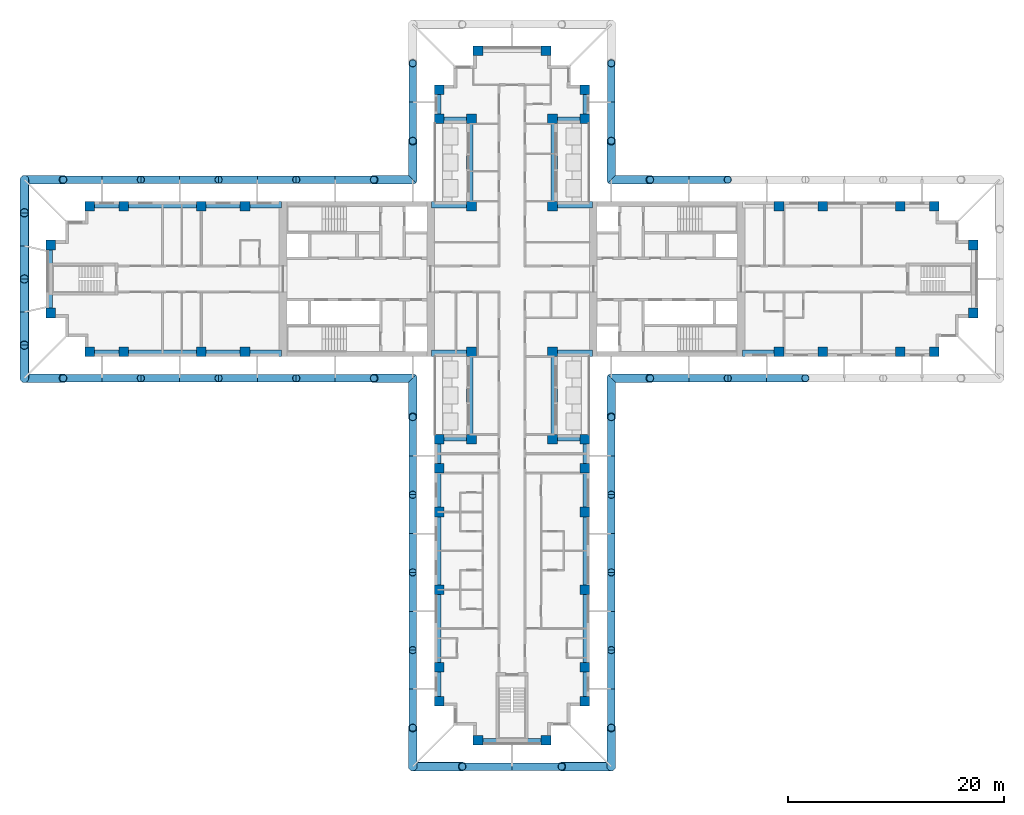
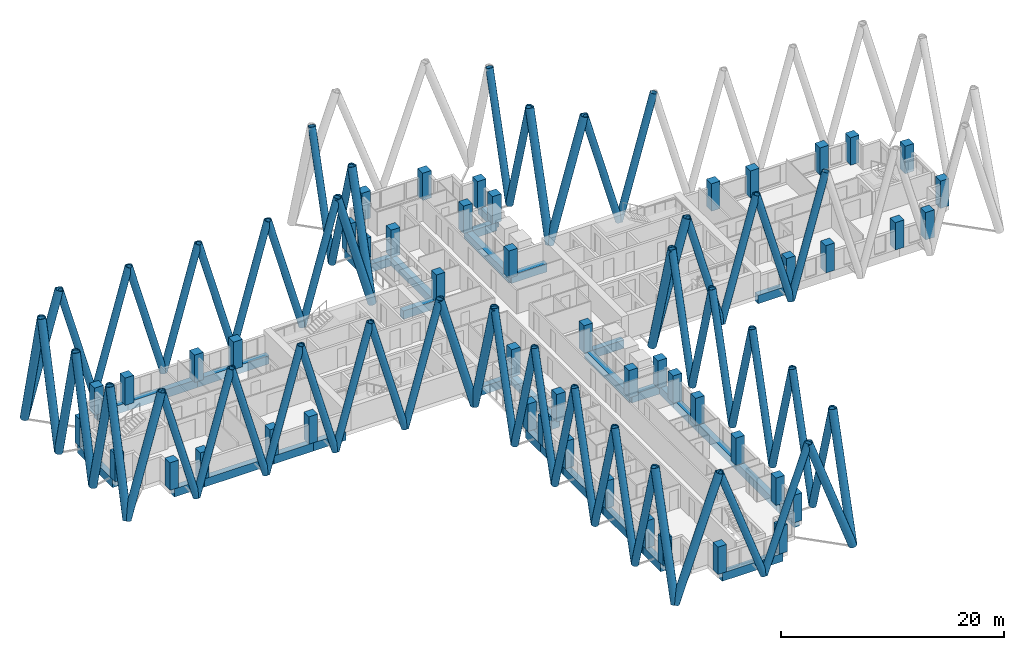
# One storey, part 1 of 14: 64 members, 48 columns, 35 beams.
"""IFC4 building model written with IfcOpenShell, lengths in metres."""

from ifc_helpers import new_model, si_unit, direction, frame, origin, origin_2d, place, context, subcontext, project, spatial, rectangle, hollow_circle, extrude, material, material_profile, profile_set, type_object, element, save


model = new_model("IFC4")

# Units and contexts
model_context = context("Model", 3, precision=1e-05, world=origin(), true_north=direction((0.0, 1.0)))
body_context = subcontext(model_context, "Body", "Model", "MODEL_VIEW")
ifc_project = project(units=[si_unit("LENGTHUNIT", "METRE"), si_unit("AREAUNIT", "SQUARE_METRE"), si_unit("VOLUMEUNIT", "CUBIC_METRE"), si_unit("PLANEANGLEUNIT", "RADIAN"), si_unit("MASSUNIT", "GRAM", prefix="KILO")], contexts=[model_context])

# Site, building, storey
site_placement = place(None, origin())
site = spatial("IfcSite", under=ifc_project, at=site_placement, CompositionType="ELEMENT")
building_placement = place(site_placement, origin())
building = spatial("IfcBuilding", under=site, at=building_placement, Name="Fustian Cross Tower", CompositionType="ELEMENT")
storey_placement = place(building_placement, frame((0.0, 0.0, 102.89990234375)))
storey = spatial("IfcBuildingStorey", under=building, at=storey_placement, Name="L32", CompositionType="ELEMENT", Elevation=102.89990234375)

# Columns
ifc_material_1 = material(Name="Concrete C60/75", Category="concrete")
ifc_material_profile_1 = material_profile(ifc_material_1, rectangle(XDim=0.89990234375, YDim=0.89990234375, at=origin_2d()), Name="RC 900x900")
ifc_profile_set_1 = profile_set([ifc_material_profile_1], Name="Concrete C60/75")
column_type = type_object("IfcColumnType", Name="COLUMN RC 900x900 C60/75", PredefinedType="COLUMN", material=ifc_profile_set_1)
for number, where, z_axis, x_axis, name in (
    (1, (-42.75, -3.14990234375, 0.0), (0.0, 0.0, 1.0), (1.0, 0.0, 0.0), "COLUMN 001"),
    (2, (-42.75, 3.14990234375, 0.0), (0.0, 0.0, 1.0), (1.0, 0.0, 0.0), "COLUMN 002"),
    (3, (-39.14990234375, -6.75, 0.0), (0.0, 0.0, 1.0), (1.0, 0.0, 0.0), "COLUMN 003"),
    (4, (-39.14990234375, 6.75, 0.0), (0.0, 0.0, 1.0), (1.0, 0.0, 0.0), "COLUMN 004"),
    (5, (-36.0, -6.75, 0.0), (0.0, 0.0, 1.0), (1.0, 0.0, 0.0), "COLUMN 005"),
    (6, (-36.0, 6.75, 0.0), (0.0, 0.0, 1.0), (1.0, 0.0, 0.0), "COLUMN 006"),
    (7, (-28.800048828125, -6.75, 0.0), (0.0, 0.0, 1.0), (1.0, 0.0, 0.0), "COLUMN 007"),
    (8, (-28.800048828125, 6.75, 0.0), (0.0, 0.0, 1.0), (1.0, 0.0, 0.0), "COLUMN 010"),
    (9, (-24.75, -6.75, 0.0), (0.0, 0.0, 1.0), (1.0, 0.0, 0.0), "COLUMN 011"),
    (10, (-24.75, 6.75, 0.0), (0.0, 0.0, 1.0), (1.0, 0.0, 0.0), "COLUMN 012"),
    (11, (-6.75, -39.14990234375, 0.0), (0.0, 0.0, 1.0), (1.0, 0.0, 0.0), "COLUMN 013"),
    (12, (-6.75, -36.0, 0.0), (0.0, 0.0, 1.0), (1.0, 0.0, 0.0), "COLUMN 014"),
    (13, (-6.75, -28.800048828125, 0.0), (0.0, 0.0, 1.0), (1.0, 0.0, 0.0), "COLUMN 015"),
    (14, (-6.75, -21.60009765625, 0.0), (0.0, 0.0, 1.0), (1.0, 0.0, 0.0), "COLUMN 016"),
    (15, (-6.75, -17.550048828125, 0.0), (0.0, 0.0, 1.0), (1.0, 0.0, 0.0), "COLUMN 017"),
    (16, (-6.75, -14.85009765625, 0.0), (0.0, 0.0, 1.0), (1.0, 0.0, 0.0), "COLUMN 018"),
    (17, (-6.75, 14.85009765625, 0.0), (0.0, 0.0, 1.0), (1.0, 0.0, 0.0), "COLUMN 019"),
    (18, (-6.75, 17.550048828125, 0.0), (0.0, 0.0, 1.0), (1.0, 0.0, 0.0), "COLUMN 020"),
    (19, (-3.75, -14.85009765625, 0.0), (0.0, 0.0, 1.0), (1.0, 0.0, 0.0), "COLUMN 025"),
    (20, (-3.75, -6.75, 0.0), (0.0, 0.0, 1.0), (1.0, 0.0, 0.0), "COLUMN 026"),
    (21, (-3.75, 6.75, 0.0), (0.0, 0.0, 1.0), (1.0, 0.0, 0.0), "COLUMN 027"),
    (22, (-3.75, 14.85009765625, 0.0), (0.0, 0.0, 1.0), (1.0, 0.0, 0.0), "COLUMN 028"),
    (23, (-3.14990234375, -42.75, 0.0), (0.0, 0.0, 1.0), (1.0, 0.0, 0.0), "COLUMN 029"),
    (24, (-3.14990234375, 21.14990234375, 0.0), (0.0, 0.0, 1.0), (1.0, 0.0, 0.0), "COLUMN 031"),
    (25, (3.14990234375, -42.75, 0.0), (0.0, 0.0, 1.0), (1.0, 0.0, 0.0), "COLUMN 033"),
    (26, (3.14990234375, 21.14990234375, 0.0), (0.0, 0.0, 1.0), (1.0, 0.0, 0.0), "COLUMN 035"),
    (27, (3.75, -14.85009765625, 0.0), (0.0, 0.0, 1.0), (1.0, 0.0, 0.0), "COLUMN 037"),
    (28, (3.75, -6.75, 0.0), (0.0, 0.0, 1.0), (1.0, 0.0, 0.0), "COLUMN 038"),
    (29, (3.75, 6.75, 0.0), (0.0, 0.0, 1.0), (1.0, 0.0, 0.0), "COLUMN 039"),
    (30, (3.75, 14.85009765625, 0.0), (0.0, 0.0, 1.0), (1.0, 0.0, 0.0), "COLUMN 040"),
    (31, (6.75, -39.14990234375, 0.0), (0.0, 0.0, 1.0), (1.0, 0.0, 0.0), "COLUMN 041"),
    (32, (6.75, -36.0, 0.0), (0.0, 0.0, 1.0), (1.0, 0.0, 0.0), "COLUMN 042"),
    (33, (6.75, -28.800048828125, 0.0), (0.0, 0.0, 1.0), (1.0, 0.0, 0.0), "COLUMN 043"),
    (34, (6.75, -21.60009765625, 0.0), (0.0, 0.0, 1.0), (1.0, 0.0, 0.0), "COLUMN 044"),
    (35, (6.75, -17.550048828125, 0.0), (0.0, 0.0, 1.0), (1.0, 0.0, 0.0), "COLUMN 045"),
    (36, (6.75, -14.85009765625, 0.0), (0.0, 0.0, 1.0), (1.0, 0.0, 0.0), "COLUMN 046"),
    (37, (6.75, 14.85009765625, 0.0), (0.0, 0.0, 1.0), (1.0, 0.0, 0.0), "COLUMN 047"),
    (38, (6.75, 17.550048828125, 0.0), (0.0, 0.0, 1.0), (1.0, 0.0, 0.0), "COLUMN 048"),
    (39, (24.75, -6.75, 0.0), (0.0, 0.0, 1.0), (1.0, 0.0, 0.0), "COLUMN 053"),
    (40, (24.75, 6.75, 0.0), (0.0, 0.0, 1.0), (1.0, 0.0, 0.0), "COLUMN 054"),
    (41, (28.800048828125, -6.75, 0.0), (0.0, 0.0, 1.0), (1.0, 0.0, 0.0), "COLUMN 055"),
    (42, (28.800048828125, 6.75, 0.0), (0.0, 0.0, 1.0), (1.0, 0.0, 0.0), "COLUMN 058"),
    (43, (36.0, -6.75, 0.0), (0.0, 0.0, 1.0), (1.0, 0.0, 0.0), "COLUMN 059"),
    (44, (36.0, 6.75, 0.0), (0.0, 0.0, 1.0), (1.0, 0.0, 0.0), "COLUMN 060"),
    (45, (39.14990234375, -6.75, 0.0), (0.0, 0.0, 1.0), (1.0, 0.0, 0.0), "COLUMN 061"),
    (46, (39.14990234375, 6.75, 0.0), (0.0, 0.0, 1.0), (1.0, 0.0, 0.0), "COLUMN 062"),
    (47, (42.75, -3.14990234375, 0.0), (0.0, 0.0, 1.0), (1.0, 0.0, 0.0), "COLUMN 063"),
    (48, (42.75, 3.14990234375, 0.0), (0.0, 0.0, 1.0), (1.0, 0.0, 0.0), "COLUMN 064"),
):
    element("IfcColumn", number, at=place(storey_placement, frame(where, z_axis=z_axis, x_axis=x_axis)), inside=storey, type_object=column_type, Name=name, PredefinedType="COLUMN", context=body_context, shape_type="SweptSolid", body=[
        extrude(rectangle(XDim=0.89990234375, YDim=0.89990234375, at=origin_2d()), origin(), (0.0, 0.0, 1.0), 3.0),
    ])

# Members
ifc_material_2 = material(Name="Steel S355", Category="steel")
ifc_material_profile_2 = material_profile(ifc_material_2, hollow_circle(Radius=0.355712890625, WallThickness=0.031982421875, at=origin_2d()), Name="CHS 711x32")
ifc_profile_set_2 = profile_set([ifc_material_profile_2], Name="Steel S355")
member_type_1 = type_object("IfcMemberType", Name="DIAGRID DIAGONAL CHS 711x32", PredefinedType="BRACE", material=ifc_profile_set_2)
for number, where, z_axis, x_axis, name in (
    (49, (16.39990234375, -9.199951171875, 0.0), (-0.270734410693, 0.0, 0.962654080585), (0.0, -1.0, 0.0), "Diagrid diagonal E-S 02"),
    (50, (16.39990234375, -9.199951171875, 0.0), (0.27075142585, 0.0, 0.962649295123), (0.0, 1.0, 0.0), "Diagrid diagonal E-S 03"),
    (51, (23.60009765625, -9.199951171875, 0.0), (-0.27075142585, 0.0, 0.962649295123), (0.0, -1.0, 0.0), "Diagrid diagonal E-S 04"),
    (52, (23.60009765625, -9.199951171875, 0.0), (0.270734410693, 0.0, 0.962654080585), (0.0, 1.0, 0.0), "Diagrid diagonal E-S 05"),
    (53, (16.39990234375, 9.199951171875, 0.0), (0.27075142585, 0.0, 0.962649295123), (0.0, 1.0, 0.0), "Diagrid diagonal E-N 08"),
    (54, (16.39990234375, 9.199951171875, 0.0), (-0.270734410693, 0.0, 0.962654080585), (0.0, -1.0, 0.0), "Diagrid diagonal E-N 09"),
    (55, (9.199951171875, 16.39990234375, 0.0), (0.0, -0.270734410693, 0.962654080585), (1.0, 0.0, 0.0), "Diagrid diagonal N-E 02"),
    (56, (9.199951171875, 16.39990234375, 0.0), (0.0, 0.27075142585, 0.962649295123), (-1.0, 0.0, 0.0), "Diagrid diagonal N-E 03"),
    (57, (-9.199951171875, 16.39990234375, 0.0), (0.0, 0.27075142585, 0.962649295123), (-1.0, 0.0, 0.0), "Diagrid diagonal N-W 02"),
    (58, (-9.199951171875, 16.39990234375, 0.0), (0.0, -0.270734410693, 0.962654080585), (1.0, 0.0, 0.0), "Diagrid diagonal N-W 03"),
    (59, (-16.39990234375, 9.199951171875, 0.0), (0.270734410693, 0.0, 0.962654080585), (0.0, 1.0, 0.0), "Diagrid diagonal W-N 02"),
    (60, (-16.39990234375, 9.199951171875, 0.0), (-0.27075142585, 0.0, 0.962649295123), (0.0, -1.0, 0.0), "Diagrid diagonal W-N 03"),
    (61, (-23.60009765625, 9.199951171875, 0.0), (0.27075142585, 0.0, 0.962649295123), (0.0, 1.0, 0.0), "Diagrid diagonal W-N 04"),
    (62, (-23.60009765625, 9.199951171875, 0.0), (-0.270734410693, 0.0, 0.962654080585), (0.0, -1.0, 0.0), "Diagrid diagonal W-N 05"),
    (63, (-30.800048828125, 9.199951171875, 0.0), (0.27075142585, 0.0, 0.962649295123), (0.0, 1.0, 0.0), "Diagrid diagonal W-N 06"),
    (64, (-30.800048828125, 9.199951171875, 0.0), (-0.270734410693, 0.0, 0.962654080585), (0.0, -1.0, 0.0), "Diagrid diagonal W-N 07"),
    (65, (-38.0, 9.199951171875, 0.0), (0.27075142585, 0.0, 0.962649295123), (0.0, 1.0, 0.0), "Diagrid diagonal W-N 08"),
    (66, (-38.0, 9.199951171875, 0.0), (-0.27075142585, 0.0, 0.962649295123), (0.0, -1.0, 0.0), "Diagrid diagonal W-N 09"),
    (67, (-38.0, -9.199951171875, 0.0), (-0.27075142585, 0.0, 0.962649295123), (0.0, -1.0, 0.0), "Diagrid diagonal W-S 02"),
    (68, (-38.0, -9.199951171875, 0.0), (0.27075142585, 0.0, 0.962649295123), (0.0, 1.0, 0.0), "Diagrid diagonal W-S 03"),
    (69, (-30.800048828125, -9.199951171875, 0.0), (-0.270734410693, 0.0, 0.962654080585), (0.0, -1.0, 0.0), "Diagrid diagonal W-S 04"),
    (70, (-30.800048828125, -9.199951171875, 0.0), (0.27075142585, 0.0, 0.962649295123), (0.0, 1.0, 0.0), "Diagrid diagonal W-S 05"),
    (71, (-23.60009765625, -9.199951171875, 0.0), (-0.270734410693, 0.0, 0.962654080585), (0.0, -1.0, 0.0), "Diagrid diagonal W-S 06"),
    (72, (-23.60009765625, -9.199951171875, 0.0), (0.27075142585, 0.0, 0.962649295123), (0.0, 1.0, 0.0), "Diagrid diagonal W-S 07"),
    (73, (-16.39990234375, -9.199951171875, 0.0), (-0.27075142585, 0.0, 0.962649295123), (0.0, -1.0, 0.0), "Diagrid diagonal W-S 08"),
    (74, (-16.39990234375, -9.199951171875, 0.0), (0.270734410693, 0.0, 0.962654080585), (0.0, 1.0, 0.0), "Diagrid diagonal W-S 09"),
    (75, (-9.199951171875, -16.39990234375, 0.0), (0.0, 0.270734410693, 0.962654080585), (-1.0, 0.0, 0.0), "Diagrid diagonal S-W 02"),
    (76, (-9.199951171875, -16.39990234375, 0.0), (0.0, -0.27075142585, 0.962649295123), (1.0, 0.0, 0.0), "Diagrid diagonal S-W 03"),
    (77, (-9.199951171875, -23.60009765625, 0.0), (0.0, 0.27075142585, 0.962649295123), (-1.0, 0.0, 0.0), "Diagrid diagonal S-W 04"),
    (78, (-9.199951171875, -23.60009765625, 0.0), (0.0, -0.270734410693, 0.962654080585), (1.0, 0.0, 0.0), "Diagrid diagonal S-W 05"),
    (79, (-9.199951171875, -30.800048828125, 0.0), (0.0, 0.27075142585, 0.962649295123), (-1.0, 0.0, 0.0), "Diagrid diagonal S-W 06"),
    (80, (-9.199951171875, -30.800048828125, 0.0), (0.0, -0.270734410693, 0.962654080585), (1.0, 0.0, 0.0), "Diagrid diagonal S-W 07"),
    (81, (-9.199951171875, -38.0, 0.0), (0.0, 0.27075142585, 0.962649295123), (-1.0, 0.0, 0.0), "Diagrid diagonal S-W 08"),
    (82, (-9.199951171875, -38.0, 0.0), (0.0, -0.27075142585, 0.962649295123), (1.0, 0.0, 0.0), "Diagrid diagonal S-W 09"),
):
    element("IfcMember", number, at=place(storey_placement, frame(where, z_axis=z_axis, x_axis=x_axis)), inside=storey, type_object=member_type_1, Name=name, PredefinedType="BRACE", context=body_context, shape_type="SweptSolid", body=[
        extrude(hollow_circle(Radius=0.355712890625, WallThickness=0.031982421875, at=origin_2d()), origin(), (0.0, 0.0, 1.0), 13.296630859375),
    ])
for number, where, z_axis, x_axis, name in (
    (83, (0.0, -45.199951171875, 0.0), (-0.338203942177, 0.0, 0.941072841759), (0.0, -1.0, 0.0), "Diagrid diagonal S-end 02"),
    (84, (0.0, -45.199951171875, 0.0), (0.338203942177, 0.0, 0.941072841759), (0.0, 1.0, 0.0), "Diagrid diagonal S-end 03"),
):
    element("IfcMember", number, at=place(storey_placement, frame(where, z_axis=z_axis, x_axis=x_axis)), inside=storey, type_object=member_type_1, Name=name, PredefinedType="BRACE", context=body_context, shape_type="SweptSolid", body=[
        extrude(hollow_circle(Radius=0.355712890625, WallThickness=0.031982421875, at=origin_2d()), origin(), (0.0, 0.0, 1.0), 13.6015625),
    ])
for number, where, z_axis, x_axis, name in (
    (85, (9.199951171875, -38.0, 0.0), (0.0, -0.27075142585, 0.962649295123), (1.0, 0.0, 0.0), "Diagrid diagonal S-E 02"),
    (86, (9.199951171875, -38.0, 0.0), (0.0, 0.27075142585, 0.962649295123), (-1.0, 0.0, 0.0), "Diagrid diagonal S-E 03"),
    (87, (9.199951171875, -30.800048828125, 0.0), (0.0, -0.270734410693, 0.962654080585), (1.0, 0.0, 0.0), "Diagrid diagonal S-E 04"),
    (88, (9.199951171875, -30.800048828125, 0.0), (0.0, 0.27075142585, 0.962649295123), (-1.0, 0.0, 0.0), "Diagrid diagonal S-E 05"),
    (89, (9.199951171875, -23.60009765625, 0.0), (0.0, -0.270734410693, 0.962654080585), (1.0, 0.0, 0.0), "Diagrid diagonal S-E 06"),
    (90, (9.199951171875, -23.60009765625, 0.0), (0.0, 0.27075142585, 0.962649295123), (-1.0, 0.0, 0.0), "Diagrid diagonal S-E 07"),
    (91, (9.199951171875, -16.39990234375, 0.0), (0.0, -0.27075142585, 0.962649295123), (1.0, 0.0, 0.0), "Diagrid diagonal S-E 08"),
    (92, (9.199951171875, -16.39990234375, 0.0), (0.0, 0.270734410693, 0.962654080585), (-1.0, 0.0, 0.0), "Diagrid diagonal S-E 09"),
):
    element("IfcMember", number, at=place(storey_placement, frame(where, z_axis=z_axis, x_axis=x_axis)), inside=storey, type_object=member_type_1, Name=name, PredefinedType="BRACE", context=body_context, shape_type="SweptSolid", body=[
        extrude(hollow_circle(Radius=0.355712890625, WallThickness=0.031982421875, at=origin_2d()), origin(), (0.0, 0.0, 1.0), 13.296630859375),
    ])
ifc_material_3 = material(Name="Steel S355", Category="steel")
ifc_material_profile_3 = material_profile(ifc_material_3, hollow_circle(Radius=0.406494140625, WallThickness=0.0400390625, at=origin_2d()), Name="CHS 813x40")
ifc_profile_set_3 = profile_set([ifc_material_profile_3], Name="Steel S355")
member_type_2 = type_object("IfcMemberType", Name="DIAGRID DIAGONAL CHS 813x40", PredefinedType="BRACE", material=ifc_profile_set_3)
for number, where, z_axis, x_axis, name in (
    (93, (9.199951171875, -9.199951171875, 0.0), (0.27075142585, 0.0, 0.962649295123), (0.0, 1.0, 0.0), "Diagrid diagonal E-S 01"),
    (94, (9.199951171875, 9.199951171875, 0.0), (0.27075142585, 0.0, 0.962649295123), (0.0, 1.0, 0.0), "Diagrid diagonal E-N 10"),
    (95, (9.199951171875, 9.199951171875, 0.0), (0.0, 0.27075142585, 0.962649295123), (-1.0, 0.0, 0.0), "Diagrid diagonal N-E 01"),
    (96, (-9.199951171875, 9.199951171875, 0.0), (0.0, 0.27075142585, 0.962649295123), (-1.0, 0.0, 0.0), "Diagrid diagonal N-W 04"),
    (97, (-9.199951171875, 9.199951171875, 0.0), (-0.27075142585, 0.0, 0.962649295123), (0.0, -1.0, 0.0), "Diagrid diagonal W-N 01"),
    (98, (-45.199951171875, 9.199951171875, 0.0), (0.270734410693, 0.0, 0.962654080585), (0.0, 1.0, 0.0), "Diagrid diagonal W-N 10"),
):
    element("IfcMember", number, at=place(storey_placement, frame(where, z_axis=z_axis, x_axis=x_axis)), inside=storey, type_object=member_type_2, Name=name, PredefinedType="BRACE", context=body_context, shape_type="SweptSolid", body=[
        extrude(hollow_circle(Radius=0.406494140625, WallThickness=0.0400390625, at=origin_2d()), origin(), (0.0, 0.0, 1.0), 13.296630859375),
    ])
for number, where, z_axis, x_axis, name in (
    (99, (-45.199951171875, 9.199951171875, 0.0), (0.0, -0.232987793088, 0.972479659567), (1.0, 0.0, 0.0), "Diagrid diagonal W-end 01"),
    (100, (-45.199951171875, 3.066650390625, 0.0), (0.0, 0.232987793088, 0.972479659567), (-1.0, 0.0, 0.0), "Diagrid diagonal W-end 02"),
    (101, (-45.199951171875, 3.066650390625, 0.0), (0.0, -0.232987793088, 0.972479659567), (1.0, 0.0, 0.0), "Diagrid diagonal W-end 03"),
    (102, (-45.199951171875, -3.066650390625, 0.0), (0.0, 0.232987793088, 0.972479659567), (-1.0, 0.0, 0.0), "Diagrid diagonal W-end 04"),
    (103, (-45.199951171875, -3.066650390625, 0.0), (0.0, -0.232987793088, 0.972479659567), (1.0, 0.0, 0.0), "Diagrid diagonal W-end 05"),
    (104, (-45.199951171875, -9.199951171875, 0.0), (0.0, 0.232987793088, 0.972479659567), (-1.0, 0.0, 0.0), "Diagrid diagonal W-end 06"),
):
    element("IfcMember", number, at=place(storey_placement, frame(where, z_axis=z_axis, x_axis=x_axis)), inside=storey, type_object=member_type_2, Name=name, PredefinedType="BRACE", context=body_context, shape_type="SweptSolid", body=[
        extrude(hollow_circle(Radius=0.406494140625, WallThickness=0.0400390625, at=origin_2d()), origin(), (0.0, 0.0, 1.0), 13.162353515625),
    ])
for number, where, z_axis, x_axis, name in (
    (105, (-45.199951171875, -9.199951171875, 0.0), (0.270734410693, 0.0, 0.962654080585), (0.0, 1.0, 0.0), "Diagrid diagonal W-S 01"),
    (106, (-9.199951171875, -9.199951171875, 0.0), (-0.27075142585, 0.0, 0.962649295123), (0.0, -1.0, 0.0), "Diagrid diagonal W-S 10"),
    (107, (-9.199951171875, -9.199951171875, 0.0), (0.0, -0.27075142585, 0.962649295123), (1.0, 0.0, 0.0), "Diagrid diagonal S-W 01"),
    (108, (-9.199951171875, -45.199951171875, 0.0), (0.0, 0.270734410693, 0.962654080585), (-1.0, 0.0, 0.0), "Diagrid diagonal S-W 10"),
):
    element("IfcMember", number, at=place(storey_placement, frame(where, z_axis=z_axis, x_axis=x_axis)), inside=storey, type_object=member_type_2, Name=name, PredefinedType="BRACE", context=body_context, shape_type="SweptSolid", body=[
        extrude(hollow_circle(Radius=0.406494140625, WallThickness=0.0400390625, at=origin_2d()), origin(), (0.0, 0.0, 1.0), 13.296630859375),
    ])
for number, where, z_axis, x_axis, name in (
    (109, (-9.199951171875, -45.199951171875, 0.0), (0.338188045656, 0.0, 0.941078554519), (0.0, 1.0, 0.0), "Diagrid diagonal S-end 01"),
    (110, (9.199951171875, -45.199951171875, 0.0), (-0.338188045656, 0.0, 0.941078554519), (0.0, -1.0, 0.0), "Diagrid diagonal S-end 04"),
):
    element("IfcMember", number, at=place(storey_placement, frame(where, z_axis=z_axis, x_axis=x_axis)), inside=storey, type_object=member_type_2, Name=name, PredefinedType="BRACE", context=body_context, shape_type="SweptSolid", body=[
        extrude(hollow_circle(Radius=0.406494140625, WallThickness=0.0400390625, at=origin_2d()), origin(), (0.0, 0.0, 1.0), 13.6015625),
    ])
for number, where, z_axis, x_axis, name in (
    (111, (9.199951171875, -45.199951171875, 0.0), (0.0, 0.270734410693, 0.962654080585), (-1.0, 0.0, 0.0), "Diagrid diagonal S-E 01"),
    (112, (9.199951171875, -9.199951171875, 0.0), (0.0, -0.27075142585, 0.962649295123), (1.0, 0.0, 0.0), "Diagrid diagonal S-E 10"),
):
    element("IfcMember", number, at=place(storey_placement, frame(where, z_axis=z_axis, x_axis=x_axis)), inside=storey, type_object=member_type_2, Name=name, PredefinedType="BRACE", context=body_context, shape_type="SweptSolid", body=[
        extrude(hollow_circle(Radius=0.406494140625, WallThickness=0.0400390625, at=origin_2d()), origin(), (0.0, 0.0, 1.0), 13.296630859375),
    ])

# Beams
ifc_material_4 = material(Name="Concrete C50/60", Category="concrete")
ifc_material_profile_4 = material_profile(ifc_material_4, rectangle(XDim=0.60009765625, YDim=0.89990234375, at=origin_2d()), Name="RC 600x900")
ifc_profile_set_4 = profile_set([ifc_material_profile_4], Name="Concrete C50/60")
beam_type = type_object("IfcBeamType", Name="EDGE BEAM RC 600x900 C50/60", PredefinedType="SPANDREL", material=ifc_profile_set_4)
beam_1_placement = place(storey_placement, frame((21.35009765625, -6.89990234375, -0.449951171875), z_axis=(1.0, 0.0, 0.0), x_axis=(0.0, 1.0, 0.0)))
element("IfcBeam", 113, at=beam_1_placement, inside=storey, type_object=beam_type, Name="EDGE BEAM L32-01", PredefinedType="SPANDREL", context=body_context, shape_type="SweptSolid", body=[
    extrude(rectangle(XDim=0.60009765625, YDim=0.89990234375, at=origin_2d()), origin(), (0.0, 0.0, 1.0), 3.39990234375),
])
beam_2_placement = place(storey_placement, frame((7.449951171875, 6.89990234375, -0.449951171875), z_axis=(-1.0, 0.0, 0.0), x_axis=(0.0, -1.0, 0.0)))
element("IfcBeam", 114, at=beam_2_placement, inside=storey, type_object=beam_type, Name="EDGE BEAM L32-10", PredefinedType="SPANDREL", context=body_context, shape_type="SweptSolid", body=[
    extrude(rectangle(XDim=0.60009765625, YDim=0.89990234375, at=origin_2d()), origin(), (0.0, 0.0, 1.0), 3.699951171875),
])
beam_3_placement = place(storey_placement, frame((3.89990234375, 6.75, -0.449951171875), z_axis=(0.0, 1.0, 0.0), x_axis=(-1.0, 0.0, 0.0)))
element("IfcBeam", 115, at=beam_3_placement, inside=storey, type_object=beam_type, Name="EDGE BEAM L32-11", PredefinedType="SPANDREL", context=body_context, shape_type="SweptSolid", body=[
    extrude(rectangle(XDim=0.60009765625, YDim=0.89990234375, at=origin_2d()), origin(), (0.0, 0.0, 1.0), 8.10009765625),
])
beam_4_placement = place(storey_placement, frame((3.75, 14.699951171875, -0.449951171875), z_axis=(1.0, 0.0, 0.0), x_axis=(0.0, 1.0, 0.0)))
element("IfcBeam", 116, at=beam_4_placement, inside=storey, type_object=beam_type, Name="EDGE BEAM L32-12", PredefinedType="SPANDREL", context=body_context, shape_type="SweptSolid", body=[
    extrude(rectangle(XDim=0.60009765625, YDim=0.89990234375, at=origin_2d()), origin(), (0.0, 0.0, 1.0), 3.0),
])
for number, where, z_axis, x_axis, name in (
    (117, (6.89990234375, 14.85009765625, -0.449951171875), (0.0, 1.0, 0.0), (-1.0, 0.0, 0.0), "EDGE BEAM L32-13"),
    (118, (-6.89990234375, 17.550048828125, -0.449951171875), (0.0, -1.0, 0.0), (1.0, 0.0, 0.0), "EDGE BEAM L32-15"),
):
    element("IfcBeam", number, at=place(storey_placement, frame(where, z_axis=z_axis, x_axis=x_axis)), inside=storey, type_object=beam_type, Name=name, PredefinedType="SPANDREL", context=body_context, shape_type="SweptSolid", body=[
        extrude(rectangle(XDim=0.60009765625, YDim=0.89990234375, at=origin_2d()), origin(), (0.0, 0.0, 1.0), 2.699951171875),
    ])
beam_5_placement = place(storey_placement, frame((-6.75, 14.699951171875, -0.449951171875), z_axis=(1.0, 0.0, 0.0), x_axis=(0.0, 1.0, 0.0)))
element("IfcBeam", 119, at=beam_5_placement, inside=storey, type_object=beam_type, Name="EDGE BEAM L32-16", PredefinedType="SPANDREL", context=body_context, shape_type="SweptSolid", body=[
    extrude(rectangle(XDim=0.60009765625, YDim=0.89990234375, at=origin_2d()), origin(), (0.0, 0.0, 1.0), 3.0),
])
beam_6_placement = place(storey_placement, frame((-3.89990234375, 14.85009765625, -0.449951171875), z_axis=(0.0, -1.0, 0.0), x_axis=(1.0, 0.0, 0.0)))
element("IfcBeam", 120, at=beam_6_placement, inside=storey, type_object=beam_type, Name="EDGE BEAM L32-17", PredefinedType="SPANDREL", context=body_context, shape_type="SweptSolid", body=[
    extrude(rectangle(XDim=0.60009765625, YDim=0.89990234375, at=origin_2d()), origin(), (0.0, 0.0, 1.0), 8.10009765625),
])
beam_7_placement = place(storey_placement, frame((-3.75, 6.89990234375, -0.449951171875), z_axis=(-1.0, 0.0, 0.0), x_axis=(0.0, -1.0, 0.0)))
element("IfcBeam", 121, at=beam_7_placement, inside=storey, type_object=beam_type, Name="EDGE BEAM L32-18", PredefinedType="SPANDREL", context=body_context, shape_type="SweptSolid", body=[
    extrude(rectangle(XDim=0.60009765625, YDim=0.89990234375, at=origin_2d()), origin(), (0.0, 0.0, 1.0), 3.699951171875),
])
beam_8_placement = place(storey_placement, frame((-21.35009765625, 6.89990234375, -0.449951171875), z_axis=(-1.0, 0.0, 0.0), x_axis=(0.0, -1.0, 0.0)))
element("IfcBeam", 122, at=beam_8_placement, inside=storey, type_object=beam_type, Name="EDGE BEAM L32-19", PredefinedType="SPANDREL", context=body_context, shape_type="SweptSolid", body=[
    extrude(rectangle(XDim=0.60009765625, YDim=0.89990234375, at=origin_2d()), origin(), (0.0, 0.0, 1.0), 3.39990234375),
])
beam_9_placement = place(storey_placement, frame((-24.75, 6.89990234375, -0.449951171875), z_axis=(-1.0, 0.0, 0.0), x_axis=(0.0, -1.0, 0.0)))
element("IfcBeam", 123, at=beam_9_placement, inside=storey, type_object=beam_type, Name="EDGE BEAM L32-20", PredefinedType="SPANDREL", context=body_context, shape_type="SweptSolid", body=[
    extrude(rectangle(XDim=0.60009765625, YDim=0.89990234375, at=origin_2d()), origin(), (0.0, 0.0, 1.0), 4.050048828125),
])
beam_10_placement = place(storey_placement, frame((-28.800048828125, 6.89990234375, -0.449951171875), z_axis=(-1.0, 0.0, 0.0), x_axis=(0.0, -1.0, 0.0)))
element("IfcBeam", 124, at=beam_10_placement, inside=storey, type_object=beam_type, Name="EDGE BEAM L32-21", PredefinedType="SPANDREL", context=body_context, shape_type="SweptSolid", body=[
    extrude(rectangle(XDim=0.60009765625, YDim=0.89990234375, at=origin_2d()), origin(), (0.0, 0.0, 1.0), 7.199951171875),
])
beam_11_placement = place(storey_placement, frame((-36.0, 6.89990234375, -0.449951171875), z_axis=(-1.0, 0.0, 0.0), x_axis=(0.0, -1.0, 0.0)))
element("IfcBeam", 125, at=beam_11_placement, inside=storey, type_object=beam_type, Name="EDGE BEAM L32-22", PredefinedType="SPANDREL", context=body_context, shape_type="SweptSolid", body=[
    extrude(rectangle(XDim=0.60009765625, YDim=0.89990234375, at=origin_2d()), origin(), (0.0, 0.0, 1.0), 3.14990234375),
])
beam_12_placement = place(storey_placement, frame((-42.89990234375, 3.14990234375, -0.449951171875), z_axis=(0.0, -1.0, 0.0), x_axis=(1.0, 0.0, 0.0)))
element("IfcBeam", 126, at=beam_12_placement, inside=storey, type_object=beam_type, Name="EDGE BEAM L32-23", PredefinedType="SPANDREL", context=body_context, shape_type="SweptSolid", body=[
    extrude(rectangle(XDim=0.60009765625, YDim=0.89990234375, at=origin_2d()), origin(), (0.0, 0.0, 1.0), 6.2998046875),
])
beam_13_placement = place(storey_placement, frame((-39.14990234375, -6.89990234375, -0.449951171875), z_axis=(1.0, 0.0, 0.0), x_axis=(0.0, 1.0, 0.0)))
element("IfcBeam", 127, at=beam_13_placement, inside=storey, type_object=beam_type, Name="EDGE BEAM L32-24", PredefinedType="SPANDREL", context=body_context, shape_type="SweptSolid", body=[
    extrude(rectangle(XDim=0.60009765625, YDim=0.89990234375, at=origin_2d()), origin(), (0.0, 0.0, 1.0), 3.14990234375),
])
beam_14_placement = place(storey_placement, frame((-36.0, -6.89990234375, -0.449951171875), z_axis=(1.0, 0.0, 0.0), x_axis=(0.0, 1.0, 0.0)))
element("IfcBeam", 128, at=beam_14_placement, inside=storey, type_object=beam_type, Name="EDGE BEAM L32-25", PredefinedType="SPANDREL", context=body_context, shape_type="SweptSolid", body=[
    extrude(rectangle(XDim=0.60009765625, YDim=0.89990234375, at=origin_2d()), origin(), (0.0, 0.0, 1.0), 7.199951171875),
])
beam_15_placement = place(storey_placement, frame((-28.800048828125, -6.89990234375, -0.449951171875), z_axis=(1.0, 0.0, 0.0), x_axis=(0.0, 1.0, 0.0)))
element("IfcBeam", 129, at=beam_15_placement, inside=storey, type_object=beam_type, Name="EDGE BEAM L32-26", PredefinedType="SPANDREL", context=body_context, shape_type="SweptSolid", body=[
    extrude(rectangle(XDim=0.60009765625, YDim=0.89990234375, at=origin_2d()), origin(), (0.0, 0.0, 1.0), 4.050048828125),
])
beam_16_placement = place(storey_placement, frame((-24.75, -6.89990234375, -0.449951171875), z_axis=(1.0, 0.0, 0.0), x_axis=(0.0, 1.0, 0.0)))
element("IfcBeam", 130, at=beam_16_placement, inside=storey, type_object=beam_type, Name="EDGE BEAM L32-27", PredefinedType="SPANDREL", context=body_context, shape_type="SweptSolid", body=[
    extrude(rectangle(XDim=0.60009765625, YDim=0.89990234375, at=origin_2d()), origin(), (0.0, 0.0, 1.0), 3.39990234375),
])
beam_17_placement = place(storey_placement, frame((-7.449951171875, -6.89990234375, -0.449951171875), z_axis=(1.0, 0.0, 0.0), x_axis=(0.0, 1.0, 0.0)))
element("IfcBeam", 131, at=beam_17_placement, inside=storey, type_object=beam_type, Name="EDGE BEAM L32-28", PredefinedType="SPANDREL", context=body_context, shape_type="SweptSolid", body=[
    extrude(rectangle(XDim=0.60009765625, YDim=0.89990234375, at=origin_2d()), origin(), (0.0, 0.0, 1.0), 3.699951171875),
])
beam_18_placement = place(storey_placement, frame((-3.89990234375, -6.75, -0.449951171875), z_axis=(0.0, -1.0, 0.0), x_axis=(1.0, 0.0, 0.0)))
element("IfcBeam", 132, at=beam_18_placement, inside=storey, type_object=beam_type, Name="EDGE BEAM L32-29", PredefinedType="SPANDREL", context=body_context, shape_type="SweptSolid", body=[
    extrude(rectangle(XDim=0.60009765625, YDim=0.89990234375, at=origin_2d()), origin(), (0.0, 0.0, 1.0), 8.10009765625),
])
beam_19_placement = place(storey_placement, frame((-3.75, -14.699951171875, -0.449951171875), z_axis=(-1.0, 0.0, 0.0), x_axis=(0.0, -1.0, 0.0)))
element("IfcBeam", 133, at=beam_19_placement, inside=storey, type_object=beam_type, Name="EDGE BEAM L32-30", PredefinedType="SPANDREL", context=body_context, shape_type="SweptSolid", body=[
    extrude(rectangle(XDim=0.60009765625, YDim=0.89990234375, at=origin_2d()), origin(), (0.0, 0.0, 1.0), 3.0),
])
beam_20_placement = place(storey_placement, frame((-6.89990234375, -14.85009765625, -0.449951171875), z_axis=(0.0, -1.0, 0.0), x_axis=(1.0, 0.0, 0.0)))
element("IfcBeam", 134, at=beam_20_placement, inside=storey, type_object=beam_type, Name="EDGE BEAM L32-31", PredefinedType="SPANDREL", context=body_context, shape_type="SweptSolid", body=[
    extrude(rectangle(XDim=0.60009765625, YDim=0.89990234375, at=origin_2d()), origin(), (0.0, 0.0, 1.0), 2.699951171875),
])
beam_21_placement = place(storey_placement, frame((-6.89990234375, -17.550048828125, -0.449951171875), z_axis=(0.0, -1.0, 0.0), x_axis=(1.0, 0.0, 0.0)))
element("IfcBeam", 135, at=beam_21_placement, inside=storey, type_object=beam_type, Name="EDGE BEAM L32-32", PredefinedType="SPANDREL", context=body_context, shape_type="SweptSolid", body=[
    extrude(rectangle(XDim=0.60009765625, YDim=0.89990234375, at=origin_2d()), origin(), (0.0, 0.0, 1.0), 4.050048828125),
])
for number, where, z_axis, x_axis, name in (
    (136, (-6.89990234375, -21.60009765625, -0.449951171875), (0.0, -1.0, 0.0), (1.0, 0.0, 0.0), "EDGE BEAM L32-33"),
    (137, (-6.89990234375, -28.800048828125, -0.449951171875), (0.0, -1.0, 0.0), (1.0, 0.0, 0.0), "EDGE BEAM L32-34"),
):
    element("IfcBeam", number, at=place(storey_placement, frame(where, z_axis=z_axis, x_axis=x_axis)), inside=storey, type_object=beam_type, Name=name, PredefinedType="SPANDREL", context=body_context, shape_type="SweptSolid", body=[
        extrude(rectangle(XDim=0.60009765625, YDim=0.89990234375, at=origin_2d()), origin(), (0.0, 0.0, 1.0), 7.199951171875),
    ])
beam_22_placement = place(storey_placement, frame((-6.89990234375, -36.0, -0.449951171875), z_axis=(0.0, -1.0, 0.0), x_axis=(1.0, 0.0, 0.0)))
element("IfcBeam", 138, at=beam_22_placement, inside=storey, type_object=beam_type, Name="EDGE BEAM L32-35", PredefinedType="SPANDREL", context=body_context, shape_type="SweptSolid", body=[
    extrude(rectangle(XDim=0.60009765625, YDim=0.89990234375, at=origin_2d()), origin(), (0.0, 0.0, 1.0), 3.14990234375),
])
beam_23_placement = place(storey_placement, frame((-3.14990234375, -42.89990234375, -0.449951171875), z_axis=(1.0, 0.0, 0.0), x_axis=(0.0, 1.0, 0.0)))
element("IfcBeam", 139, at=beam_23_placement, inside=storey, type_object=beam_type, Name="EDGE BEAM L32-36", PredefinedType="SPANDREL", context=body_context, shape_type="SweptSolid", body=[
    extrude(rectangle(XDim=0.60009765625, YDim=0.89990234375, at=origin_2d()), origin(), (0.0, 0.0, 1.0), 6.2998046875),
])
beam_24_placement = place(storey_placement, frame((6.89990234375, -39.14990234375, -0.449951171875), z_axis=(0.0, 1.0, 0.0), x_axis=(-1.0, 0.0, 0.0)))
element("IfcBeam", 140, at=beam_24_placement, inside=storey, type_object=beam_type, Name="EDGE BEAM L32-37", PredefinedType="SPANDREL", context=body_context, shape_type="SweptSolid", body=[
    extrude(rectangle(XDim=0.60009765625, YDim=0.89990234375, at=origin_2d()), origin(), (0.0, 0.0, 1.0), 3.14990234375),
])
for number, where, z_axis, x_axis, name in (
    (141, (6.89990234375, -36.0, -0.449951171875), (0.0, 1.0, 0.0), (-1.0, 0.0, 0.0), "EDGE BEAM L32-38"),
    (142, (6.89990234375, -28.800048828125, -0.449951171875), (0.0, 1.0, 0.0), (-1.0, 0.0, 0.0), "EDGE BEAM L32-39"),
):
    element("IfcBeam", number, at=place(storey_placement, frame(where, z_axis=z_axis, x_axis=x_axis)), inside=storey, type_object=beam_type, Name=name, PredefinedType="SPANDREL", context=body_context, shape_type="SweptSolid", body=[
        extrude(rectangle(XDim=0.60009765625, YDim=0.89990234375, at=origin_2d()), origin(), (0.0, 0.0, 1.0), 7.199951171875),
    ])
beam_25_placement = place(storey_placement, frame((6.89990234375, -21.60009765625, -0.449951171875), z_axis=(0.0, 1.0, 0.0), x_axis=(-1.0, 0.0, 0.0)))
element("IfcBeam", 143, at=beam_25_placement, inside=storey, type_object=beam_type, Name="EDGE BEAM L32-40", PredefinedType="SPANDREL", context=body_context, shape_type="SweptSolid", body=[
    extrude(rectangle(XDim=0.60009765625, YDim=0.89990234375, at=origin_2d()), origin(), (0.0, 0.0, 1.0), 4.050048828125),
])
beam_26_placement = place(storey_placement, frame((6.89990234375, -17.550048828125, -0.449951171875), z_axis=(0.0, 1.0, 0.0), x_axis=(-1.0, 0.0, 0.0)))
element("IfcBeam", 144, at=beam_26_placement, inside=storey, type_object=beam_type, Name="EDGE BEAM L32-41", PredefinedType="SPANDREL", context=body_context, shape_type="SweptSolid", body=[
    extrude(rectangle(XDim=0.60009765625, YDim=0.89990234375, at=origin_2d()), origin(), (0.0, 0.0, 1.0), 2.699951171875),
])
beam_27_placement = place(storey_placement, frame((6.75, -14.699951171875, -0.449951171875), z_axis=(-1.0, 0.0, 0.0), x_axis=(0.0, -1.0, 0.0)))
element("IfcBeam", 145, at=beam_27_placement, inside=storey, type_object=beam_type, Name="EDGE BEAM L32-42", PredefinedType="SPANDREL", context=body_context, shape_type="SweptSolid", body=[
    extrude(rectangle(XDim=0.60009765625, YDim=0.89990234375, at=origin_2d()), origin(), (0.0, 0.0, 1.0), 3.0),
])
beam_28_placement = place(storey_placement, frame((3.89990234375, -14.85009765625, -0.449951171875), z_axis=(0.0, 1.0, 0.0), x_axis=(-1.0, 0.0, 0.0)))
element("IfcBeam", 146, at=beam_28_placement, inside=storey, type_object=beam_type, Name="EDGE BEAM L32-43", PredefinedType="SPANDREL", context=body_context, shape_type="SweptSolid", body=[
    extrude(rectangle(XDim=0.60009765625, YDim=0.89990234375, at=origin_2d()), origin(), (0.0, 0.0, 1.0), 8.10009765625),
])
beam_29_placement = place(storey_placement, frame((3.75, -6.89990234375, -0.449951171875), z_axis=(1.0, 0.0, 0.0), x_axis=(0.0, 1.0, 0.0)))
element("IfcBeam", 147, at=beam_29_placement, inside=storey, type_object=beam_type, Name="EDGE BEAM L32-44", PredefinedType="SPANDREL", context=body_context, shape_type="SweptSolid", body=[
    extrude(rectangle(XDim=0.60009765625, YDim=0.89990234375, at=origin_2d()), origin(), (0.0, 0.0, 1.0), 3.699951171875),
])

save(model, "model.ifc")
